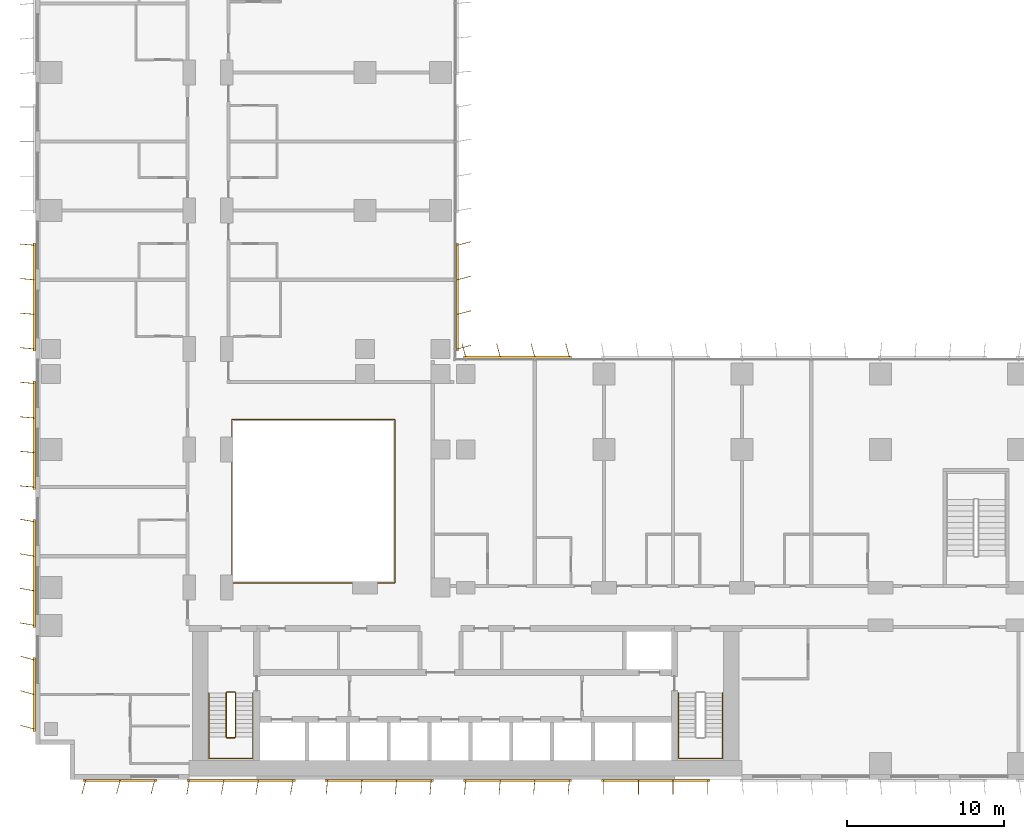
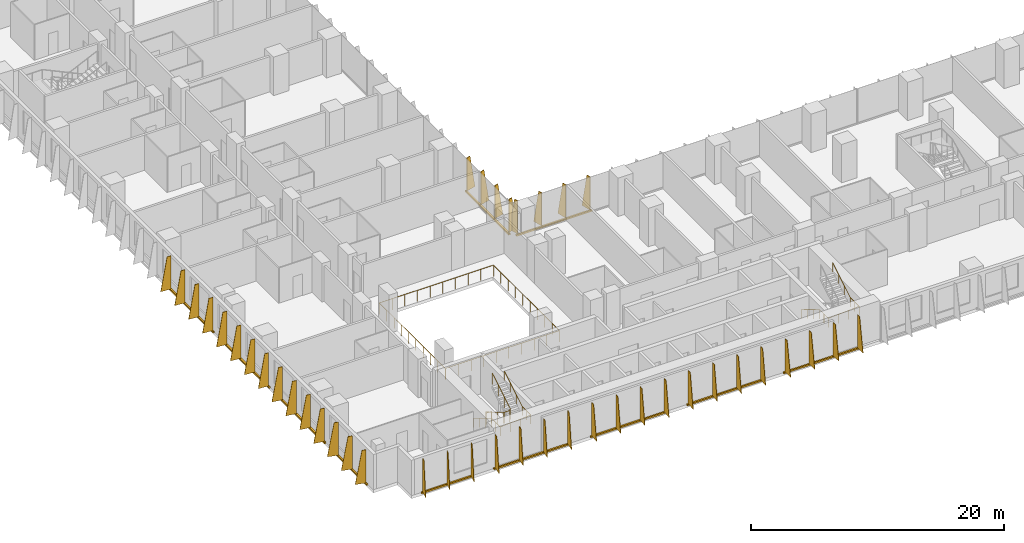
# One storey, part 21 of 24: 11 shading devices, 4 railings.
"""IFC4 building model written with IfcOpenShell, lengths in metres."""

from ifc_helpers import new_model, si_unit, direction, frame, origin, origin_2d, place, context, subcontext, project, spatial, polyline, rectangle, circle, outline, extrude, source, transform, mapped, material, layer, layer_set, type_object, element, save


model = new_model("IFC4")

# Units and contexts
model_context = context("Model", 3, precision=1e-05, world=origin(), true_north=direction((0.0, 1.0)))
body_context = subcontext(model_context, "Body", "Model", "MODEL_VIEW")
ifc_project = project(units=[si_unit("LENGTHUNIT", "METRE"), si_unit("AREAUNIT", "SQUARE_METRE"), si_unit("VOLUMEUNIT", "CUBIC_METRE"), si_unit("PLANEANGLEUNIT", "RADIAN"), si_unit("MASSUNIT", "GRAM", prefix="KILO")], contexts=[model_context])

# Site, building, storey
site_placement = place(None, origin())
site = spatial("IfcSite", under=ifc_project, at=site_placement, CompositionType="ELEMENT")
building_placement = place(site_placement, origin())
building = spatial("IfcBuilding", under=site, at=building_placement, Name="Kemantara Hotel Tower", CompositionType="ELEMENT")
storey_placement = place(building_placement, frame((0.0, 0.0, 63.60009765625)))
storey = spatial("IfcBuildingStorey", under=building, at=storey_placement, Name="L14", CompositionType="ELEMENT", Elevation=63.60009765625)

# Railings
ifc_material_1 = material(Name="Stainless steel and laminated glass balustrade", Category="steel")
railing_type_1 = type_object("IfcRailingType", Name="ATRIUM GUARD 1100", PredefinedType="GUARDRAIL", material=ifc_material_1)
railing_1_placement = place(storey_placement, frame((12.56005859375, 12.5, 0.0)))
element("IfcRailing", 1, at=railing_1_placement, inside=storey, type_object=railing_type_1, Name="ATRIUM GUARD L14", PredefinedType="GUARDRAIL", context=body_context, shape_type="SweptSolid", body=[
    extrude(circle(Radius=0.02490234375, at=origin_2d()), frame((0.0, 0.0, 1.0751953125), z_axis=(1.0, 0.0, 0.0), x_axis=(0.0, 1.0, 0.0)), (0.0, 0.0, 1.0), 10.33984375),
    extrude(circle(Radius=0.02490234375, at=origin_2d()), frame((10.33984375, 0.0, 1.0751953125), z_axis=(0.0, 1.0, 0.0), x_axis=(-1.0, 0.0, 0.0)), (0.0, 0.0, 1.0), 10.39990234375),
    extrude(circle(Radius=0.02490234375, at=origin_2d()), frame((10.33984375, 10.39990234375, 1.0751953125), z_axis=(-1.0, 0.0, 0.0), x_axis=(0.0, -1.0, 0.0)), (0.0, 0.0, 1.0), 10.39990234375),
    extrude(circle(Radius=0.02490234375, at=origin_2d()), frame((-0.06005859375, 10.39990234375, 1.0751953125), z_axis=(0.0, -1.0, 0.0), x_axis=(1.0, 0.0, 0.0)), (0.0, 0.0, 1.0), 10.39990234375),
    extrude(circle(Radius=0.02001953125, at=origin_2d()), origin(), (0.0, 0.0, 1.0), 1.050048828125),
    extrude(circle(Radius=0.02001953125, at=origin_2d()), frame((1.14892578125, 0.0, 0.0)), (0.0, 0.0, 1.0), 1.050048828125),
    extrude(circle(Radius=0.02001953125, at=origin_2d()), frame((2.2978515625, 0.0, 0.0)), (0.0, 0.0, 1.0), 1.050048828125),
    extrude(circle(Radius=0.02001953125, at=origin_2d()), frame((3.446533203125, 0.0, 0.0)), (0.0, 0.0, 1.0), 1.050048828125),
    extrude(circle(Radius=0.02001953125, at=origin_2d()), frame((4.595458984375, 0.0, 0.0)), (0.0, 0.0, 1.0), 1.050048828125),
    extrude(circle(Radius=0.02001953125, at=origin_2d()), frame((5.744384765625, 0.0, 0.0)), (0.0, 0.0, 1.0), 1.050048828125),
    extrude(circle(Radius=0.02001953125, at=origin_2d()), frame((6.893310546875, 0.0, 0.0)), (0.0, 0.0, 1.0), 1.050048828125),
    extrude(circle(Radius=0.02001953125, at=origin_2d()), frame((8.0419921875, 0.0, 0.0)), (0.0, 0.0, 1.0), 1.050048828125),
    extrude(circle(Radius=0.02001953125, at=origin_2d()), frame((9.19091796875, 0.0, 0.0)), (0.0, 0.0, 1.0), 1.050048828125),
    extrude(circle(Radius=0.02001953125, at=origin_2d()), frame((10.33984375, 0.0, 0.0)), (0.0, 0.0, 1.0), 1.050048828125),
    extrude(circle(Radius=0.02001953125, at=origin_2d()), frame((10.33984375, 1.155517578125, 0.0)), (0.0, 0.0, 1.0), 1.050048828125),
    extrude(circle(Radius=0.02001953125, at=origin_2d()), frame((10.33984375, 2.31103515625, 0.0)), (0.0, 0.0, 1.0), 1.050048828125),
    extrude(circle(Radius=0.02001953125, at=origin_2d()), frame((10.33984375, 3.466552734375, 0.0)), (0.0, 0.0, 1.0), 1.050048828125),
    extrude(circle(Radius=0.02001953125, at=origin_2d()), frame((10.33984375, 4.6220703125, 0.0)), (0.0, 0.0, 1.0), 1.050048828125),
    extrude(circle(Radius=0.02001953125, at=origin_2d()), frame((10.33984375, 5.77783203125, 0.0)), (0.0, 0.0, 1.0), 1.050048828125),
    extrude(circle(Radius=0.02001953125, at=origin_2d()), frame((10.33984375, 6.933349609375, 0.0)), (0.0, 0.0, 1.0), 1.050048828125),
    extrude(circle(Radius=0.02001953125, at=origin_2d()), frame((10.33984375, 8.0888671875, 0.0)), (0.0, 0.0, 1.0), 1.050048828125),
    extrude(circle(Radius=0.02001953125, at=origin_2d()), frame((10.33984375, 9.244384765625, 0.0)), (0.0, 0.0, 1.0), 1.050048828125),
    extrude(circle(Radius=0.02001953125, at=origin_2d()), frame((10.33984375, 10.39990234375, 0.0)), (0.0, 0.0, 1.0), 1.050048828125),
    extrude(circle(Radius=0.02001953125, at=origin_2d()), frame((9.184326171875, 10.39990234375, 0.0)), (0.0, 0.0, 1.0), 1.050048828125),
    extrude(circle(Radius=0.02001953125, at=origin_2d()), frame((8.02880859375, 10.39990234375, 0.0)), (0.0, 0.0, 1.0), 1.050048828125),
    extrude(circle(Radius=0.02001953125, at=origin_2d()), frame((6.873291015625, 10.39990234375, 0.0)), (0.0, 0.0, 1.0), 1.050048828125),
    extrude(circle(Radius=0.02001953125, at=origin_2d()), frame((5.7177734375, 10.39990234375, 0.0)), (0.0, 0.0, 1.0), 1.050048828125),
    extrude(circle(Radius=0.02001953125, at=origin_2d()), frame((4.56201171875, 10.39990234375, 0.0)), (0.0, 0.0, 1.0), 1.050048828125),
    extrude(circle(Radius=0.02001953125, at=origin_2d()), frame((3.406494140625, 10.39990234375, 0.0)), (0.0, 0.0, 1.0), 1.050048828125),
    extrude(circle(Radius=0.02001953125, at=origin_2d()), frame((2.2509765625, 10.39990234375, 0.0)), (0.0, 0.0, 1.0), 1.050048828125),
    extrude(circle(Radius=0.02001953125, at=origin_2d()), frame((1.095458984375, 10.39990234375, 0.0)), (0.0, 0.0, 1.0), 1.050048828125),
    extrude(circle(Radius=0.02001953125, at=origin_2d()), frame((-0.06005859375, 10.39990234375, 0.0)), (0.0, 0.0, 1.0), 1.050048828125),
    extrude(circle(Radius=0.02001953125, at=origin_2d()), frame((-0.06005859375, 9.244384765625, 0.0)), (0.0, 0.0, 1.0), 1.050048828125),
    extrude(circle(Radius=0.02001953125, at=origin_2d()), frame((-0.06005859375, 8.0888671875, 0.0)), (0.0, 0.0, 1.0), 1.050048828125),
    extrude(circle(Radius=0.02001953125, at=origin_2d()), frame((-0.06005859375, 6.933349609375, 0.0)), (0.0, 0.0, 1.0), 1.050048828125),
    extrude(circle(Radius=0.02001953125, at=origin_2d()), frame((-0.06005859375, 5.77783203125, 0.0)), (0.0, 0.0, 1.0), 1.050048828125),
    extrude(circle(Radius=0.02001953125, at=origin_2d()), frame((-0.06005859375, 4.6220703125, 0.0)), (0.0, 0.0, 1.0), 1.050048828125),
    extrude(circle(Radius=0.02001953125, at=origin_2d()), frame((-0.06005859375, 3.466552734375, 0.0)), (0.0, 0.0, 1.0), 1.050048828125),
    extrude(circle(Radius=0.02001953125, at=origin_2d()), frame((-0.06005859375, 2.31103515625, 0.0)), (0.0, 0.0, 1.0), 1.050048828125),
    extrude(circle(Radius=0.02001953125, at=origin_2d()), frame((-0.06005859375, 1.155517578125, 0.0)), (0.0, 0.0, 1.0), 1.050048828125),
    extrude(circle(Radius=0.02001953125, at=origin_2d()), frame((-0.06005859375, 0.0, 0.0)), (0.0, 0.0, 1.0), 1.050048828125),
])
ifc_material_2 = material(Name="Stainless steel balustrade", Category="steel")
railing_type_2 = type_object("IfcRailingType", Name="Stair guard 1100 mm", PredefinedType="GUARDRAIL", material=ifc_material_2)
railing_2_placement = place(storey_placement, frame((12.75, 5.5, 3.699951171875)))
element("IfcRailing", 2, at=railing_2_placement, inside=storey, type_object=railing_type_2, Name="L14 ST1 stair guard 1", PredefinedType="GUARDRAIL", context=body_context, shape_type="SweptSolid", body=[
    extrude(circle(Radius=0.02392578125, at=origin_2d()), frame((0.0, 0.0, 1.076171875), z_axis=(0.0, -0.857242210791, -0.514913383045), x_axis=(1.0, 0.0, 0.0)), (0.0, 0.0, 1.0), 3.266357421875),
    extrude(circle(Radius=0.02392578125, at=origin_2d()), frame((0.0, -2.800048828125, -0.60595703125), z_axis=(-0.274243871929, -0.274243871929, -0.92172696468), x_axis=(0.707106781187, -0.707106781187, 0.0)), (0.0, 0.0, 1.0), 0.1826171875),
    extrude(circle(Radius=0.02392578125, at=origin_2d()), frame((-0.050048828125, -2.85009765625, -0.77392578125), z_axis=(-1.0, 0.0, 0.0), x_axis=(0.0, -1.0, 0.0)), (0.0, 0.0, 1.0), 0.5),
    extrude(circle(Radius=0.02392578125, at=origin_2d()), frame((-0.550048828125, -2.85009765625, -0.77392578125), z_axis=(-0.707106781187, 0.707106781187, 0.0), x_axis=(-0.707106781187, -0.707106781187, 0.0)), (0.0, 0.0, 1.0), 0.07080078125),
    extrude(circle(Radius=0.02392578125, at=origin_2d()), frame((-0.60009765625, -2.800048828125, -0.77392578125), z_axis=(0.0, 0.857242210791, -0.514913383045), x_axis=(-1.0, 0.0, 0.0)), (0.0, 0.0, 1.0), 3.266357421875),
    extrude(circle(Radius=0.02392578125, at=origin_2d()), frame((-0.60009765625, 0.0, -2.4560546875), z_axis=(0.274582412415, 0.274582412415, -0.921525364591), x_axis=(-0.707106781187, 0.707106781187, 0.0)), (0.0, 0.0, 1.0), 0.182373046875),
    extrude(circle(Radius=0.02392578125, at=origin_2d()), frame((-0.550048828125, 0.050048828125, -2.6240234375), z_axis=(1.0, 0.0, 0.0), x_axis=(0.0, 1.0, 0.0)), (0.0, 0.0, 1.0), 0.5),
    extrude(circle(Radius=0.02099609375, at=origin_2d()), origin(), (0.0, 0.0, 1.0), 1.052001953125),
    extrude(circle(Radius=0.02099609375, at=origin_2d()), frame((0.0, -0.933349609375, -0.560546875)), (0.0, 0.0, 1.0), 1.052001953125),
    extrude(circle(Radius=0.02099609375, at=origin_2d()), frame((0.0, -1.86669921875, -1.121337890625)), (0.0, 0.0, 1.0), 1.052001953125),
    extrude(circle(Radius=0.02099609375, at=origin_2d()), frame((0.0, -2.800048828125, -1.681884765625)), (0.0, 0.0, 1.0), 1.052001953125),
    extrude(circle(Radius=0.02099609375, at=origin_2d()), frame((-0.050048828125, -2.85009765625, -1.85009765625)), (0.0, 0.0, 1.0), 1.052001953125),
    extrude(circle(Radius=0.02099609375, at=origin_2d()), frame((-0.550048828125, -2.85009765625, -1.85009765625)), (0.0, 0.0, 1.0), 1.052001953125),
    extrude(circle(Radius=0.02099609375, at=origin_2d()), frame((-0.60009765625, -2.800048828125, -1.85009765625)), (0.0, 0.0, 1.0), 1.052001953125),
    extrude(circle(Radius=0.02099609375, at=origin_2d()), frame((-0.60009765625, -1.86669921875, -2.41064453125)), (0.0, 0.0, 1.0), 1.052001953125),
    extrude(circle(Radius=0.02099609375, at=origin_2d()), frame((-0.60009765625, -0.933349609375, -2.971435546875)), (0.0, 0.0, 1.0), 1.052001953125),
    extrude(circle(Radius=0.02099609375, at=origin_2d()), frame((-0.60009765625, 0.0, -3.531982421875)), (0.0, 0.0, 1.0), 1.052001953125),
    extrude(circle(Radius=0.02099609375, at=origin_2d()), frame((-0.550048828125, 0.050048828125, -3.699951171875)), (0.0, 0.0, 1.0), 1.052001953125),
    extrude(circle(Radius=0.02099609375, at=origin_2d()), frame((-0.050048828125, 0.050048828125, -3.699951171875)), (0.0, 0.0, 1.0), 1.052001953125),
])
railing_type_3 = type_object("IfcRailingType", Name="Stair handrail 900 mm", PredefinedType="HANDRAIL", material=ifc_material_2)
railing_3_placement = place(storey_placement, frame((11.050048828125, 5.5, 0.16796875)))
element("IfcRailing", 3, at=railing_3_placement, inside=storey, type_object=railing_type_3, Name="L14 ST1 stair handrail 1", PredefinedType="HANDRAIL", context=body_context, shape_type="SweptSolid", body=[
    extrude(circle(Radius=0.02392578125, at=origin_2d()), frame((0.0, 0.0, 0.8759765625), z_axis=(0.0, -0.857242210791, 0.514913383045), x_axis=(1.0, 0.0, 0.0)), (0.0, 0.0, 1.0), 3.266357421875),
    extrude(circle(Radius=0.02392578125, at=origin_2d()), frame((0.0, -2.800048828125, 2.5576171875), z_axis=(0.0, -1.0, 0.0), x_axis=(1.0, 0.0, 0.0)), (0.0, 0.0, 1.0), 1.3798828125),
    extrude(circle(Radius=0.02392578125, at=origin_2d()), frame((0.0, -4.179931640625, 2.5576171875), z_axis=(0.998200367801, 0.0, 0.059966871865), x_axis=(0.0, 1.0, 0.0)), (0.0, 0.0, 1.0), 2.80517578125),
    extrude(circle(Radius=0.02392578125, at=origin_2d()), frame((2.800048828125, -4.179931640625, 2.72607421875), z_axis=(0.0, 1.0, 0.0), x_axis=(-1.0, 0.0, 0.0)), (0.0, 0.0, 1.0), 1.3798828125),
    extrude(circle(Radius=0.02392578125, at=origin_2d()), frame((2.800048828125, -2.800048828125, 2.72607421875), z_axis=(0.0, 0.857242210791, 0.514913383045), x_axis=(-1.0, 0.0, 0.0)), (0.0, 0.0, 1.0), 3.266357421875),
    extrude(circle(Radius=0.02099609375, at=origin_2d()), origin(), (0.0, 0.0, 1.0), 0.851806640625),
    extrude(circle(Radius=0.02099609375, at=origin_2d()), frame((0.0, -0.933349609375, 0.560546875)), (0.0, 0.0, 1.0), 0.851806640625),
    extrude(circle(Radius=0.02099609375, at=origin_2d()), frame((0.0, -1.86669921875, 1.121337890625)), (0.0, 0.0, 1.0), 0.851806640625),
    extrude(circle(Radius=0.02099609375, at=origin_2d()), frame((0.0, -2.800048828125, 1.681884765625)), (0.0, 0.0, 1.0), 0.851806640625),
    extrude(circle(Radius=0.02099609375, at=origin_2d()), frame((0.0, -3.489990234375, 1.681884765625)), (0.0, 0.0, 1.0), 0.851806640625),
    extrude(circle(Radius=0.02099609375, at=origin_2d()), frame((0.0, -4.179931640625, 1.681884765625)), (0.0, 0.0, 1.0), 0.851806640625),
    extrude(circle(Radius=0.02099609375, at=origin_2d()), frame((0.933349609375, -4.179931640625, 1.738037109375)), (0.0, 0.0, 1.0), 0.851806640625),
    extrude(circle(Radius=0.02099609375, at=origin_2d()), frame((1.86669921875, -4.179931640625, 1.7939453125)), (0.0, 0.0, 1.0), 0.851806640625),
    extrude(circle(Radius=0.02099609375, at=origin_2d()), frame((2.800048828125, -4.179931640625, 1.85009765625)), (0.0, 0.0, 1.0), 0.851806640625),
    extrude(circle(Radius=0.02099609375, at=origin_2d()), frame((2.800048828125, -3.489990234375, 1.85009765625)), (0.0, 0.0, 1.0), 0.851806640625),
    extrude(circle(Radius=0.02099609375, at=origin_2d()), frame((2.800048828125, -2.800048828125, 1.85009765625)), (0.0, 0.0, 1.0), 0.851806640625),
    extrude(circle(Radius=0.02099609375, at=origin_2d()), frame((2.800048828125, -1.86669921875, 2.41064453125)), (0.0, 0.0, 1.0), 0.851806640625),
    extrude(circle(Radius=0.02099609375, at=origin_2d()), frame((2.800048828125, -0.933349609375, 2.971435546875)), (0.0, 0.0, 1.0), 0.851806640625),
    extrude(circle(Radius=0.02099609375, at=origin_2d()), frame((2.800048828125, 0.0, 3.531982421875)), (0.0, 0.0, 1.0), 0.851806640625),
])
railing_4_placement = place(storey_placement, frame((40.949951171875, 5.5, 0.16796875)))
element("IfcRailing", 4, at=railing_4_placement, inside=storey, type_object=railing_type_3, Name="L14 ST2 stair handrail 1", PredefinedType="HANDRAIL", context=body_context, shape_type="SweptSolid", body=[
    extrude(circle(Radius=0.02392578125, at=origin_2d()), frame((0.0, 0.0, 0.8759765625), z_axis=(0.0, -0.857242210791, 0.514913383045), x_axis=(1.0, 0.0, 0.0)), (0.0, 0.0, 1.0), 3.266357421875),
    extrude(circle(Radius=0.02392578125, at=origin_2d()), frame((0.0, -2.800048828125, 2.5576171875), z_axis=(0.0, -1.0, 0.0), x_axis=(1.0, 0.0, 0.0)), (0.0, 0.0, 1.0), 1.3798828125),
    extrude(circle(Radius=0.02392578125, at=origin_2d()), frame((0.0, -4.179931640625, 2.5576171875), z_axis=(0.998200367801, 0.0, 0.059966871865), x_axis=(0.0, 1.0, 0.0)), (0.0, 0.0, 1.0), 2.80517578125),
    extrude(circle(Radius=0.02392578125, at=origin_2d()), frame((2.800048828125, -4.179931640625, 2.72607421875), z_axis=(0.0, 1.0, 0.0), x_axis=(-1.0, 0.0, 0.0)), (0.0, 0.0, 1.0), 1.3798828125),
    extrude(circle(Radius=0.02392578125, at=origin_2d()), frame((2.800048828125, -2.800048828125, 2.72607421875), z_axis=(0.0, 0.857242210791, 0.514913383045), x_axis=(-1.0, 0.0, 0.0)), (0.0, 0.0, 1.0), 3.266357421875),
    extrude(circle(Radius=0.02099609375, at=origin_2d()), origin(), (0.0, 0.0, 1.0), 0.851806640625),
    extrude(circle(Radius=0.02099609375, at=origin_2d()), frame((0.0, -0.933349609375, 0.560546875)), (0.0, 0.0, 1.0), 0.851806640625),
    extrude(circle(Radius=0.02099609375, at=origin_2d()), frame((0.0, -1.86669921875, 1.121337890625)), (0.0, 0.0, 1.0), 0.851806640625),
    extrude(circle(Radius=0.02099609375, at=origin_2d()), frame((0.0, -2.800048828125, 1.681884765625)), (0.0, 0.0, 1.0), 0.851806640625),
    extrude(circle(Radius=0.02099609375, at=origin_2d()), frame((0.0, -3.489990234375, 1.681884765625)), (0.0, 0.0, 1.0), 0.851806640625),
    extrude(circle(Radius=0.02099609375, at=origin_2d()), frame((0.0, -4.179931640625, 1.681884765625)), (0.0, 0.0, 1.0), 0.851806640625),
    extrude(circle(Radius=0.02099609375, at=origin_2d()), frame((0.933349609375, -4.179931640625, 1.738037109375)), (0.0, 0.0, 1.0), 0.851806640625),
    extrude(circle(Radius=0.02099609375, at=origin_2d()), frame((1.86669921875, -4.179931640625, 1.7939453125)), (0.0, 0.0, 1.0), 0.851806640625),
    extrude(circle(Radius=0.02099609375, at=origin_2d()), frame((2.800048828125, -4.179931640625, 1.85009765625)), (0.0, 0.0, 1.0), 0.851806640625),
    extrude(circle(Radius=0.02099609375, at=origin_2d()), frame((2.800048828125, -3.489990234375, 1.85009765625)), (0.0, 0.0, 1.0), 0.851806640625),
    extrude(circle(Radius=0.02099609375, at=origin_2d()), frame((2.800048828125, -2.800048828125, 1.85009765625)), (0.0, 0.0, 1.0), 0.851806640625),
    extrude(circle(Radius=0.02099609375, at=origin_2d()), frame((2.800048828125, -1.86669921875, 2.41064453125)), (0.0, 0.0, 1.0), 0.851806640625),
    extrude(circle(Radius=0.02099609375, at=origin_2d()), frame((2.800048828125, -0.933349609375, 2.971435546875)), (0.0, 0.0, 1.0), 0.851806640625),
    extrude(circle(Radius=0.02099609375, at=origin_2d()), frame((2.800048828125, 0.0, 3.531982421875)), (0.0, 0.0, 1.0), 0.851806640625),
])

# Shading devices
ifc_material_3 = material(Name="Perforated aluminium plate 4 mm bronze anodised", Category="aluminium")
ifc_layer_1 = layer(ifc_material_3, 0.0400390625)
ifc_layer_set_1 = layer_set([ifc_layer_1], Name="Perforated aluminium plate 4 mm bronze anodised")
shading_device_type_1 = type_object("IfcShadingDeviceType", Name="SCREEN FIN CASSETTE, 3 BLADES AT -15.0 DEG, 3200 HIGH", PredefinedType="USERDEFINED", material=ifc_layer_set_1)
shared_shape_1 = source(origin(), body_context, "Body", "SweptSolid", [
    extrude(rectangle(XDim=4.699951171875, YDim=0.14990234375, at=origin_2d()), frame((2.199951171875, -0.074951171875, -0.14990234375), z_axis=(0.0, 0.0, 1.0), x_axis=(1.0, 0.0, 0.0)), (0.0, 0.0, 1.0), 0.14990234375),
    extrude(outline(polyline([(0.0, 0.0), (0.89990234375, 0.0), (0.35009765625, 3.199951171875), (0.0, 3.199951171875), (0.0, 0.0)])), frame((0.019287109375, -0.080078125, 0.0), z_axis=(-0.966437683387, 0.256901156343, 0.0), x_axis=(-0.256901156343, -0.966437683387, 0.0)), (0.0, 0.0, 1.0), 0.039794921875),
    extrude(outline(polyline([(0.0, 0.0), (0.89990234375, 0.0), (0.35009765625, 3.199951171875), (0.0, 3.199951171875), (0.0, 0.0)])), frame((2.21923828125, -0.080078125, 0.0), z_axis=(-0.966437683387, 0.256901156343, 0.0), x_axis=(-0.256901156343, -0.966437683387, 0.0)), (0.0, 0.0, 1.0), 0.039794921875),
    extrude(outline(polyline([(0.0, 0.0), (0.89990234375, 0.0), (0.35009765625, 3.199951171875), (0.0, 3.199951171875), (0.0, 0.0)])), frame((4.41943359375, -0.080078125, 0.0), z_axis=(-0.966837822169, 0.255391122837, 0.0), x_axis=(-0.255391122837, -0.966837822169, 0.0)), (0.0, 0.0, 1.0), 0.0400390625),
])
for number, where, z_axis, x_axis, name in (
    (5, (3.199951171875, 0.0, 0.099853515625), (0.0, 0.0, 1.0), (1.0, 0.0, 0.0), "SCREEN FIN CASSETTE L14 T1-R01-1"),
    (6, (0.0, 7.60009765625, 0.099853515625), (0.0, 0.0, 1.0), (0.0, -1.0, 0.0), "SCREEN FIN CASSETTE L14 T1-R14-9"),
):
    element("IfcShadingDevice", number, at=place(storey_placement, frame(where, z_axis=z_axis, x_axis=x_axis)), inside=storey, type_object=shading_device_type_1, Name=name, ObjectType="SCREEN FIN", PredefinedType="USERDEFINED", context=body_context, shape_type="MappedRepresentation", body=[
        mapped(shared_shape_1, transform((0.0, 0.0, 0.0))),
    ])
ifc_layer_2 = layer(ifc_material_3, 0.0400390625)
ifc_layer_set_2 = layer_set([ifc_layer_2], Name="Perforated aluminium plate 4 mm bronze anodised")
shading_device_type_2 = type_object("IfcShadingDeviceType", Name="SCREEN FIN CASSETTE, 4 BLADES AT -10.0 DEG, 3200 HIGH", PredefinedType="USERDEFINED", material=ifc_layer_set_2)
shared_shape_2 = source(origin(), body_context, "Body", "SweptSolid", [
    extrude(rectangle(XDim=6.89990234375, YDim=0.14990234375, at=origin_2d()), frame((3.300048828125, -0.074951171875, -0.14990234375), z_axis=(0.0, 0.0, 1.0), x_axis=(1.0, 0.0, 0.0)), (0.0, 0.0, 1.0), 0.14990234375),
    extrude(outline(polyline([(0.0, 0.0), (0.89990234375, 0.0), (0.35009765625, 3.199951171875), (0.0, 3.199951171875), (0.0, 0.0)])), frame((0.019775390625, -0.078369140625, 0.0), z_axis=(-0.985389793052, 0.170314285219, 0.0), x_axis=(-0.170314285219, -0.985389793052, 0.0)), (0.0, 0.0, 1.0), 0.0400390625),
    extrude(outline(polyline([(0.0, 0.0), (0.89990234375, 0.0), (0.35009765625, 3.199951171875), (0.0, 3.199951171875), (0.0, 0.0)])), frame((2.2197265625, -0.078369140625, 0.0), z_axis=(-0.98521175482, 0.171341174751, 0.0), x_axis=(-0.171341174751, -0.98521175482, 0.0)), (0.0, 0.0, 1.0), 0.039794921875),
    extrude(outline(polyline([(0.0, 0.0), (0.89990234375, 0.0), (0.35009765625, 3.199951171875), (0.0, 3.199951171875), (0.0, 0.0)])), frame((4.419677734375, -0.078369140625, 0.0), z_axis=(-0.98521175482, 0.171341174751, 0.0), x_axis=(-0.171341174751, -0.98521175482, 0.0)), (0.0, 0.0, 1.0), 0.039794921875),
    extrude(outline(polyline([(0.0, 0.0), (0.89990234375, 0.0), (0.35009765625, 3.199951171875), (0.0, 3.199951171875), (0.0, 0.0)])), frame((6.61962890625, -0.078369140625, 0.0), z_axis=(-0.98521175482, 0.171341174751, 0.0), x_axis=(-0.171341174751, -0.98521175482, 0.0)), (0.0, 0.0, 1.0), 0.039794921875),
])
for number, where, z_axis, x_axis, name in (
    (7, (9.800048828125, 0.0, 0.099853515625), (0.0, 0.0, 1.0), (1.0, 0.0, 0.0), "SCREEN FIN CASSETTE L14 T1-R01-2"),
    (8, (0.0, 16.39990234375, 0.099853515625), (0.0, 0.0, 1.0), (0.0, -1.0, 0.0), "SCREEN FIN CASSETTE L14 T1-R14-8"),
):
    element("IfcShadingDevice", number, at=place(storey_placement, frame(where, z_axis=z_axis, x_axis=x_axis)), inside=storey, type_object=shading_device_type_2, Name=name, ObjectType="SCREEN FIN", PredefinedType="USERDEFINED", context=body_context, shape_type="MappedRepresentation", body=[
        mapped(shared_shape_2, transform((0.0, 0.0, 0.0))),
    ])
ifc_layer_3 = layer(ifc_material_3, 0.0400390625)
ifc_layer_set_3 = layer_set([ifc_layer_3], Name="Perforated aluminium plate 4 mm bronze anodised")
shading_device_type_3 = type_object("IfcShadingDeviceType", Name="SCREEN FIN CASSETTE, 4 BLADES AT -5.0 DEG, 3200 HIGH", PredefinedType="USERDEFINED", material=ifc_layer_set_3)
shared_shape_3 = source(origin(), body_context, "Body", "SweptSolid", [
    extrude(rectangle(XDim=6.89990234375, YDim=0.14990234375, at=origin_2d()), frame((3.300048828125, -0.074951171875, -0.14990234375), z_axis=(0.0, 0.0, 1.0), x_axis=(1.0, 0.0, 0.0)), (0.0, 0.0, 1.0), 0.14990234375),
    extrude(outline(polyline([(0.0, 0.0), (0.89990234375, 0.0), (0.35009765625, 3.199951171875), (0.0, 3.199951171875), (0.0, 0.0)])), frame((0.02001953125, -0.07666015625, 0.0), z_axis=(-0.996376129781, 0.085056498884, 0.0), x_axis=(-0.085056498884, -0.996376129781, 0.0)), (0.0, 0.0, 1.0), 0.040283203125),
    extrude(outline(polyline([(0.0, 0.0), (0.89990234375, 0.0), (0.35009765625, 3.199951171875), (0.0, 3.199951171875), (0.0, 0.0)])), frame((2.219970703125, -0.07666015625, 0.0), z_axis=(-0.996331773833, 0.085574508182, 0.0), x_axis=(-0.085574508182, -0.996331773833, 0.0)), (0.0, 0.0, 1.0), 0.0400390625),
    extrude(outline(polyline([(0.0, 0.0), (0.89990234375, 0.0), (0.35009765625, 3.199951171875), (0.0, 3.199951171875), (0.0, 0.0)])), frame((4.419921875, -0.07666015625, 0.0), z_axis=(-0.996331773833, 0.085574508182, 0.0), x_axis=(-0.085574508182, -0.996331773833, 0.0)), (0.0, 0.0, 1.0), 0.0400390625),
    extrude(outline(polyline([(0.0, 0.0), (0.89990234375, 0.0), (0.35009765625, 3.199951171875), (0.0, 3.199951171875), (0.0, 0.0)])), frame((6.619873046875, -0.07666015625, 0.0), z_axis=(-0.996331773833, 0.085574508182, 0.0), x_axis=(-0.085574508182, -0.996331773833, 0.0)), (0.0, 0.0, 1.0), 0.0400390625),
])
for number, where, z_axis, x_axis, name in (
    (9, (18.60009765625, 0.0, 0.099853515625), (0.0, 0.0, 1.0), (1.0, 0.0, 0.0), "SCREEN FIN CASSETTE L14 T1-R01-3"),
    (10, (27.39990234375, 0.0, 0.099853515625), (0.0, 0.0, 1.0), (1.0, 0.0, 0.0), "SCREEN FIN CASSETTE L14 T1-R01-4"),
    (11, (0.0, 34.0, 0.099853515625), (0.0, 0.0, 1.0), (0.0, -1.0, 0.0), "SCREEN FIN CASSETTE L14 T1-R14-6"),
    (12, (0.0, 25.199951171875, 0.099853515625), (0.0, 0.0, 1.0), (0.0, -1.0, 0.0), "SCREEN FIN CASSETTE L14 T1-R14-7"),
):
    element("IfcShadingDevice", number, at=place(storey_placement, frame(where, z_axis=z_axis, x_axis=x_axis)), inside=storey, type_object=shading_device_type_3, Name=name, ObjectType="SCREEN FIN", PredefinedType="USERDEFINED", context=body_context, shape_type="MappedRepresentation", body=[
        mapped(shared_shape_3, transform((0.0, 0.0, 0.0))),
    ])
ifc_layer_4 = layer(ifc_material_3, 0.0400390625)
ifc_layer_set_4 = layer_set([ifc_layer_4], Name="Perforated aluminium plate 4 mm bronze anodised")
shading_device_type_4 = type_object("IfcShadingDeviceType", Name="SCREEN FIN CASSETTE, 4 BLADES AT +0.0 DEG, 3200 HIGH", PredefinedType="USERDEFINED", material=ifc_layer_set_4)
shared_shape_4 = source(origin(), body_context, "Body", "SweptSolid", [
    extrude(rectangle(XDim=6.89990234375, YDim=0.14990234375, at=origin_2d()), frame((3.300048828125, -0.074951171875, -0.14990234375), z_axis=(0.0, 0.0, 1.0), x_axis=(1.0, 0.0, 0.0)), (0.0, 0.0, 1.0), 0.14990234375),
    extrude(outline(polyline([(0.0, 0.0), (0.89990234375, 0.0), (0.35009765625, 3.199951171875), (0.0, 3.199951171875), (0.0, 0.0)])), frame((0.02001953125, -0.074951171875, 0.0), z_axis=(-1.0, 0.0, 0.0), x_axis=(0.0, -1.0, 0.0)), (0.0, 0.0, 1.0), 0.0400390625),
    extrude(outline(polyline([(0.0, 0.0), (0.89990234375, 0.0), (0.35009765625, 3.199951171875), (0.0, 3.199951171875), (0.0, 0.0)])), frame((2.219970703125, -0.074951171875, 0.0), z_axis=(-1.0, 0.0, 0.0), x_axis=(0.0, -1.0, 0.0)), (0.0, 0.0, 1.0), 0.0400390625),
    extrude(outline(polyline([(0.0, 0.0), (0.89990234375, 0.0), (0.35009765625, 3.199951171875), (0.0, 3.199951171875), (0.0, 0.0)])), frame((4.419921875, -0.074951171875, 0.0), z_axis=(-1.0, 0.0, 0.0), x_axis=(0.0, -1.0, 0.0)), (0.0, 0.0, 1.0), 0.0400390625),
    extrude(outline(polyline([(0.0, 0.0), (0.89990234375, 0.0), (0.35009765625, 3.199951171875), (0.0, 3.199951171875), (0.0, 0.0)])), frame((6.6201171875, -0.074951171875, 0.0), z_axis=(-1.0, 0.0, 0.0), x_axis=(0.0, -1.0, 0.0)), (0.0, 0.0, 1.0), 0.0400390625),
])
shading_device_placement = place(storey_placement, frame((36.199951171875, 0.0, 0.099853515625), z_axis=(0.0, 0.0, 1.0), x_axis=(1.0, 0.0, 0.0)))
element("IfcShadingDevice", 13, at=shading_device_placement, inside=storey, type_object=shading_device_type_4, Name="SCREEN FIN CASSETTE L14 T1-R01-5", ObjectType="SCREEN FIN", PredefinedType="USERDEFINED", context=body_context, shape_type="MappedRepresentation", body=[
    mapped(shared_shape_4, transform((0.0, 0.0, 0.0))),
])
ifc_layer_5 = layer(ifc_material_3, 0.0400390625)
ifc_layer_set_5 = layer_set([ifc_layer_5], Name="Perforated aluminium plate 4 mm bronze anodised")
shading_device_type_5 = type_object("IfcShadingDeviceType", Name="SCREEN FIN CASSETTE, 4 BLADES AT +15.0 DEG, 3200 HIGH", PredefinedType="USERDEFINED", material=ifc_layer_set_5)
shared_shape_5 = source(origin(), body_context, "Body", "SweptSolid", [
    extrude(rectangle(XDim=6.89990234375, YDim=0.14990234375, at=origin_2d()), frame((3.300048828125, -0.074951171875, -0.14990234375), z_axis=(0.0, 0.0, 1.0), x_axis=(1.0, 0.0, 0.0)), (0.0, 0.0, 1.0), 0.14990234375),
    extrude(outline(polyline([(0.0, 0.0), (0.89990234375, 0.0), (0.35009765625, 3.199951171875), (0.0, 3.199951171875), (0.0, 0.0)])), frame((0.019287109375, -0.06982421875, 0.0), z_axis=(-0.966437683387, -0.256901156343, 0.0), x_axis=(0.256901156343, -0.966437683387, 0.0)), (0.0, 0.0, 1.0), 0.039794921875),
    extrude(outline(polyline([(0.0, 0.0), (0.89990234375, 0.0), (0.35009765625, 3.199951171875), (0.0, 3.199951171875), (0.0, 0.0)])), frame((2.21923828125, -0.06982421875, 0.0), z_axis=(-0.966437683387, -0.256901156343, 0.0), x_axis=(0.256901156343, -0.966437683387, 0.0)), (0.0, 0.0, 1.0), 0.039794921875),
    extrude(outline(polyline([(0.0, 0.0), (0.89990234375, 0.0), (0.35009765625, 3.199951171875), (0.0, 3.199951171875), (0.0, 0.0)])), frame((4.41943359375, -0.06982421875, 0.0), z_axis=(-0.966837822169, -0.255391122837, 0.0), x_axis=(0.255391122837, -0.966837822169, 0.0)), (0.0, 0.0, 1.0), 0.0400390625),
    extrude(outline(polyline([(0.0, 0.0), (0.89990234375, 0.0), (0.35009765625, 3.199951171875), (0.0, 3.199951171875), (0.0, 0.0)])), frame((6.619384765625, -0.06982421875, 0.0), z_axis=(-0.966837822169, -0.255391122837, 0.0), x_axis=(0.255391122837, -0.966837822169, 0.0)), (0.0, 0.0, 1.0), 0.0400390625),
])
for number, where, z_axis, x_axis, name in (
    (14, (34.0, 26.800048828125, 0.099853515625), (0.0, 0.0, 1.0), (-1.0, 0.0, 0.0), "SCREEN FIN CASSETTE L14 T1-R07-6"),
    (15, (26.800048828125, 27.39990234375, 0.099853515625), (0.0, 0.0, 1.0), (0.0, 1.0, 0.0), "SCREEN FIN CASSETTE L14 T1-R08-1"),
):
    element("IfcShadingDevice", number, at=place(storey_placement, frame(where, z_axis=z_axis, x_axis=x_axis)), inside=storey, type_object=shading_device_type_5, Name=name, ObjectType="SCREEN FIN", PredefinedType="USERDEFINED", context=body_context, shape_type="MappedRepresentation", body=[
        mapped(shared_shape_5, transform((0.0, 0.0, 0.0))),
    ])

save(model, "model.ifc")
